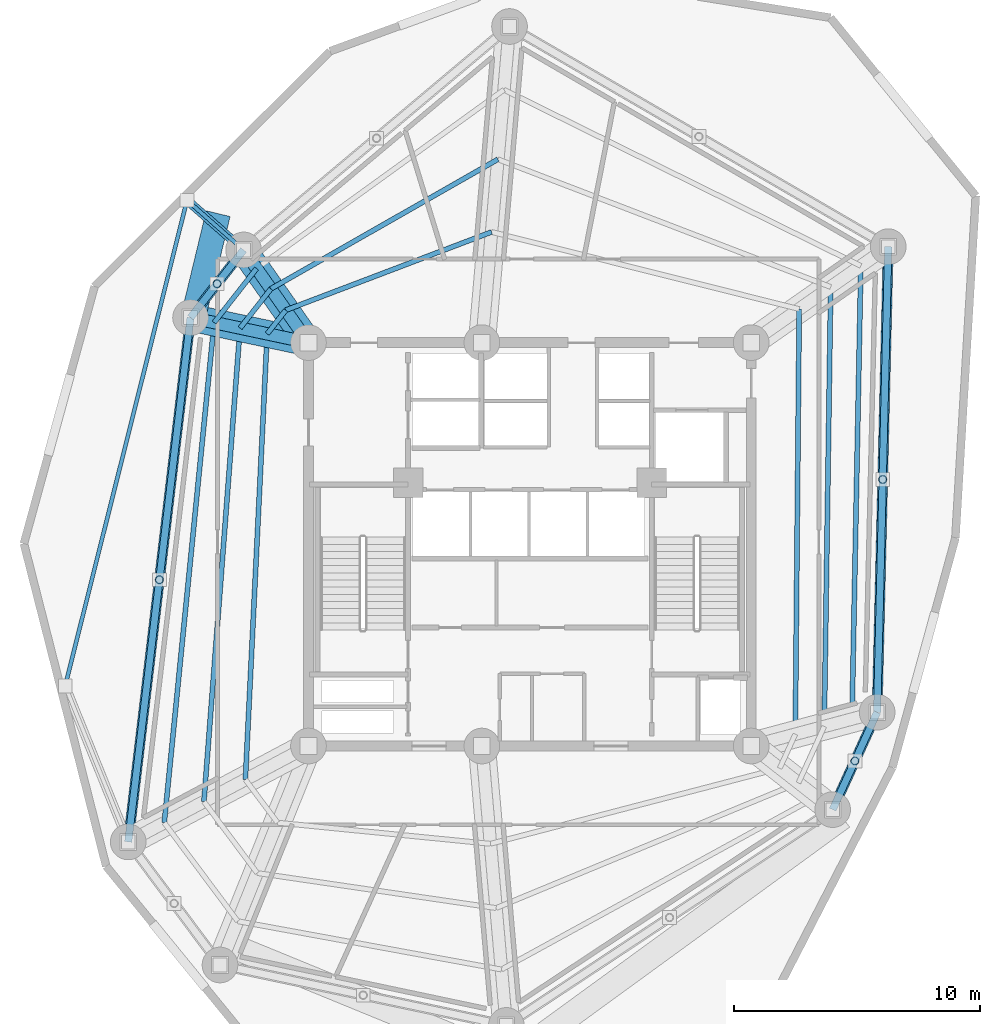
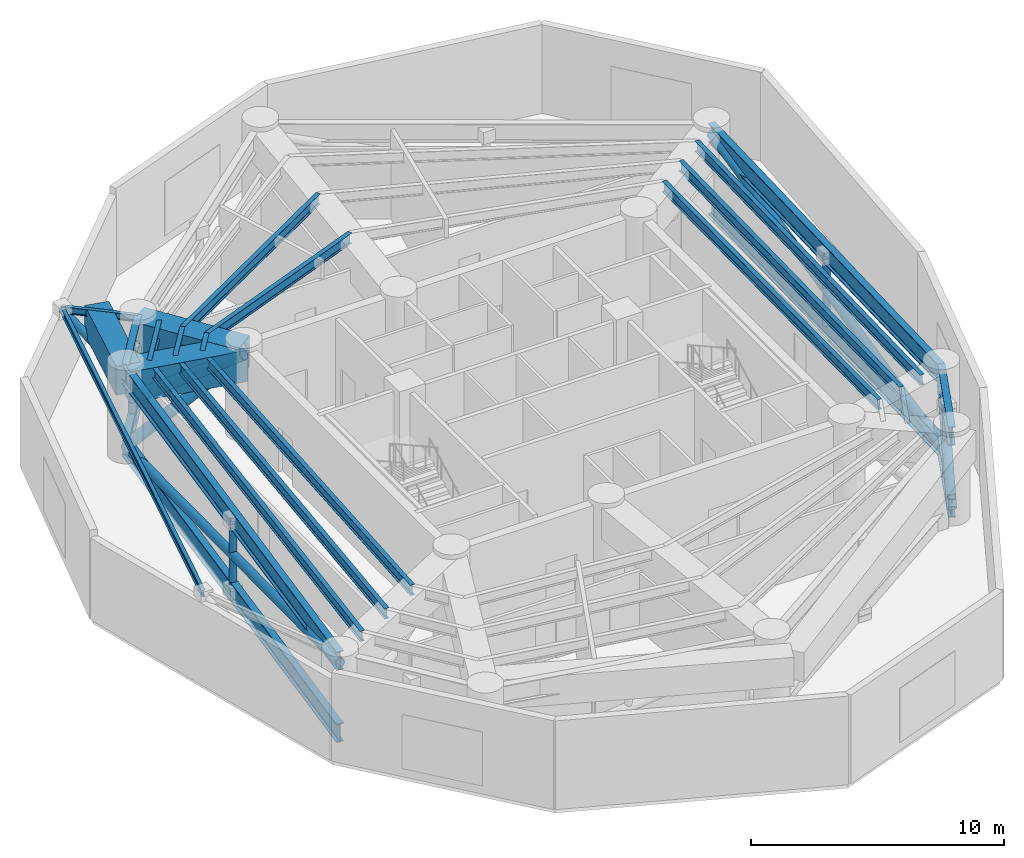
# One storey, part 3 of 11: 20 beams, 15 members.
"""IFC4 building model written with IfcOpenShell, lengths in metres."""

from ifc_helpers import new_model, si_unit, direction, frame, origin, origin_with_axes, origin_2d, place, context, subcontext, project, spatial, rectangle, hollow_circle, i_section, extrude, source, transform, mapped, material, material_profile, profile_set, type_object, element, save


model = new_model("IFC4")

# Units and contexts
model_context = context("Model", 3, precision=1e-05, world=origin(), true_north=direction((0.0, 1.0)))
body_context = subcontext(model_context, "Body", "Model", "MODEL_VIEW")
ifc_project = project(units=[si_unit("LENGTHUNIT", "METRE"), si_unit("AREAUNIT", "SQUARE_METRE"), si_unit("VOLUMEUNIT", "CUBIC_METRE"), si_unit("PLANEANGLEUNIT", "RADIAN"), si_unit("MASSUNIT", "GRAM", prefix="KILO")], contexts=[model_context])

# Site, building, storey
site_placement = place(None, origin())
site = spatial("IfcSite", under=ifc_project, at=site_placement, CompositionType="ELEMENT")
building_placement = place(site_placement, origin())
building = spatial("IfcBuilding", under=site, at=building_placement, Name="Karkom Vertical University and Central Library", CompositionType="ELEMENT")
storey_placement = place(building_placement, frame((0.0, 0.0, 148.050048828125)))
storey = spatial("IfcBuildingStorey", under=building, at=storey_placement, Name="P42", CompositionType="ELEMENT", Elevation=148.050048828125)

# Members
ifc_material_1 = material(Name="Steel S355", Category="steel")
ifc_material_profile_1 = material_profile(ifc_material_1, hollow_circle(Radius=0.161865234375, WallThickness=0.01611328125, at=origin_2d()), Name="CHS 323.9x16")
ifc_profile_set_1 = profile_set([ifc_material_profile_1], Name="Steel S355")
member_type_1 = type_object("IfcMemberType", Name="STR-MEM-PT-1", PredefinedType="POST", material=ifc_profile_set_1)
shared_shape_1 = source(origin_with_axes(), body_context, "Body", "SweptSolid", [
    extrude(hollow_circle(Radius=0.161865234375, WallThickness=0.01611328125, at=origin_2d()), origin(), (0.0, 0.0, 1.0), 3.375),
])
for number, where, z_axis, x_axis, name in (
    (1, (42.844482421875, 29.135986328125, 0.349853515625), (0.0, 0.0, 1.0), (1.0, 0.0, 0.0), "Plant Level 42 Belt Truss Web Post 01"),
    (2, (15.784423828125, 37.093505859375, 0.349853515625), (0.0, 0.0, 1.0), (1.0, 0.0, 0.0), "Plant Level 42 Belt Truss Web Post 04"),
    (3, (13.439453125, 25.06103515625, 0.349853515625), (0.0, 0.0, 1.0), (1.0, 0.0, 0.0), "Plant Level 42 Belt Truss Web Post 05"),
    (4, (41.714599609375, 17.693115234375, 0.349853515625), (0.0, 0.0, 1.0), (1.0, 0.0, 0.0), "Plant Level 42 Belt Truss Web Post 09"),
):
    element("IfcMember", number, at=place(storey_placement, frame(where, z_axis=z_axis, x_axis=x_axis)), inside=storey, type_object=member_type_1, Name=name, PredefinedType="POST", context=body_context, shape_type="MappedRepresentation", body=[
        mapped(shared_shape_1, transform((0.0, 0.0, 0.0), scale=1.0)),
    ])

# Beams
ifc_material_profile_2 = material_profile(ifc_material_1, i_section(OverallWidth=0.199951171875, OverallDepth=0.5, WebThickness=0.01025390625, FlangeThickness=0.01611328125, FilletRadius=0.02099609375, at=origin_2d()), Name="IPE 500")
ifc_profile_set_2 = profile_set([ifc_material_profile_2], Name="Steel S355")
beam_type_1 = type_object("IfcBeamType", Name="STR-BM-SB-IPE500", PredefinedType="BEAM", material=ifc_profile_set_2)
shared_shape_2 = source(origin_with_axes(), body_context, "Body", "SweptSolid", [
    extrude(i_section(OverallWidth=0.199951171875, OverallDepth=0.5, WebThickness=0.01025390625, FlangeThickness=0.01611328125, FilletRadius=0.02099609375, at=origin_2d()), origin(), (0.0, 0.0, 1.0), 17.285400390625),
])
beam_1_placement = place(storey_placement, frame((39.29150390625, 18.7802734375, 4.02490234375), z_axis=(0.009138294648, 0.999958244914, 0.0), x_axis=(-0.999958244914, 0.009138294648, 0.0)))
element("IfcBeam", 5, at=beam_1_placement, inside=storey, type_object=beam_type_1, Name="Plant Level 42 Secondary Composite Floor Beam 1.01", PredefinedType="BEAM", context=body_context, shape_type="MappedRepresentation", body=[
    mapped(shared_shape_2, transform((0.0, 0.0, 0.0), scale=1.0)),
])
shared_shape_3 = source(origin_with_axes(), body_context, "Body", "SweptSolid", [
    extrude(i_section(OverallWidth=0.199951171875, OverallDepth=0.5, WebThickness=0.01025390625, FlangeThickness=0.01611328125, FilletRadius=0.02099609375, at=origin_2d()), origin(), (0.0, 0.0, 1.0), 8.950439453125),
])
beam_2_placement = place(storey_placement, frame((26.943359375, 39.197998046875, 4.02490234375), z_axis=(-0.93478901494, -0.355203459368, 0.0), x_axis=(0.355203459368, -0.93478901494, 0.0)))
element("IfcBeam", 6, at=beam_2_placement, inside=storey, type_object=beam_type_1, Name="Plant Level 42 Secondary Composite Floor Beam 1.03", PredefinedType="BEAM", context=body_context, shape_type="MappedRepresentation", body=[
    mapped(shared_shape_3, transform((0.0, 0.0, 0.0), scale=1.0)),
])
shared_shape_4 = source(origin_with_axes(), body_context, "Body", "SweptSolid", [
    extrude(i_section(OverallWidth=0.199951171875, OverallDepth=0.5, WebThickness=0.01025390625, FlangeThickness=0.01611328125, FilletRadius=0.02099609375, at=origin_2d()), origin(), (0.0, 0.0, 1.0), 1.222412109375),
])
beam_3_placement = place(storey_placement, frame((18.57666015625, 36.018798828125, 4.02490234375), z_axis=(-0.616895037184, -0.787045432677, 0.0), x_axis=(0.787045432677, -0.616895037184, 0.0)))
element("IfcBeam", 7, at=beam_3_placement, inside=storey, type_object=beam_type_1, Name="Plant Level 42 Secondary Composite Floor Beam 1.04", PredefinedType="BEAM", context=body_context, shape_type="MappedRepresentation", body=[
    mapped(shared_shape_4, transform((0.0, 0.0, 0.0), scale=1.0)),
])
shared_shape_5 = source(origin_with_axes(), body_context, "Body", "SweptSolid", [
    extrude(i_section(OverallWidth=0.199951171875, OverallDepth=0.5, WebThickness=0.01025390625, FlangeThickness=0.01611328125, FilletRadius=0.02099609375, at=origin_2d()), origin(), (0.0, 0.0, 1.0), 18.142333984375),
])
beam_4_placement = place(storey_placement, frame((17.822509765625, 35.056640625, 4.02490234375), z_axis=(-0.048902644774, -0.998803549921, 0.0), x_axis=(0.998803549921, -0.048902644774, 0.0)))
element("IfcBeam", 8, at=beam_4_placement, inside=storey, type_object=beam_type_1, Name="Plant Level 42 Secondary Composite Floor Beam 1.05", PredefinedType="BEAM", context=body_context, shape_type="MappedRepresentation", body=[
    mapped(shared_shape_5, transform((0.0, 0.0, 0.0), scale=1.0)),
])
shared_shape_6 = source(origin_with_axes(), body_context, "Body", "SweptSolid", [
    extrude(i_section(OverallWidth=0.199951171875, OverallDepth=0.5, WebThickness=0.01025390625, FlangeThickness=0.01611328125, FilletRadius=0.02099609375, at=origin_2d()), origin(), (0.0, 0.0, 1.0), 17.8681640625),
])
beam_5_placement = place(storey_placement, frame((40.468994140625, 19.095703125, 4.02490234375), z_axis=(0.014647239676, 0.999892723431, 0.0), x_axis=(-0.999892723431, 0.014647239676, 0.0)))
element("IfcBeam", 9, at=beam_5_placement, inside=storey, type_object=beam_type_1, Name="Plant Level 42 Secondary Composite Floor Beam 2.01", PredefinedType="BEAM", context=body_context, shape_type="MappedRepresentation", body=[
    mapped(shared_shape_6, transform((0.0, 0.0, 0.0), scale=1.0)),
])
shared_shape_7 = source(origin_with_axes(), body_context, "Body", "SweptSolid", [
    extrude(i_section(OverallWidth=0.199951171875, OverallDepth=0.5, WebThickness=0.01025390625, FlangeThickness=0.01611328125, FilletRadius=0.02099609375, at=origin_2d()), origin(), (0.0, 0.0, 1.0), 10.629150390625),
])
beam_6_placement = place(storey_placement, frame((27.201904296875, 42.153564453125, 4.02490234375), z_axis=(-0.868539813491, -0.495619402748, 0.0), x_axis=(0.495619402748, -0.868539813491, 0.0)))
element("IfcBeam", 10, at=beam_6_placement, inside=storey, type_object=beam_type_1, Name="Plant Level 42 Secondary Composite Floor Beam 2.03", PredefinedType="BEAM", context=body_context, shape_type="MappedRepresentation", body=[
    mapped(shared_shape_7, transform((0.0, 0.0, 0.0), scale=1.0)),
])
shared_shape_8 = source(origin_with_axes(), body_context, "Body", "SweptSolid", [
    extrude(i_section(OverallWidth=0.199951171875, OverallDepth=0.5, WebThickness=0.01025390625, FlangeThickness=0.01611328125, FilletRadius=0.02099609375, at=origin_2d()), origin(), (0.0, 0.0, 1.0), 2.02587890625),
])
beam_7_placement = place(storey_placement, frame((17.969970703125, 36.885498046875, 4.02490234375), z_axis=(-0.616889733535, -0.787049589708, 0.0), x_axis=(0.787049589708, -0.616889733535, 0.0)))
element("IfcBeam", 11, at=beam_7_placement, inside=storey, type_object=beam_type_1, Name="Plant Level 42 Secondary Composite Floor Beam 2.04", PredefinedType="BEAM", context=body_context, shape_type="MappedRepresentation", body=[
    mapped(shared_shape_8, transform((0.0, 0.0, 0.0), scale=1.0)),
])
shared_shape_9 = source(origin_with_axes(), body_context, "Body", "SweptSolid", [
    extrude(i_section(OverallWidth=0.199951171875, OverallDepth=0.5, WebThickness=0.01025390625, FlangeThickness=0.01611328125, FilletRadius=0.02099609375, at=origin_2d()), origin(), (0.0, 0.0, 1.0), 19.307373046875),
])
beam_8_placement = place(storey_placement, frame((16.72021484375, 35.291015625, 4.02490234375), z_axis=(-0.07616078645, -0.997095549387, 0.0), x_axis=(0.997095549387, -0.07616078645, 0.0)))
element("IfcBeam", 12, at=beam_8_placement, inside=storey, type_object=beam_type_1, Name="Plant Level 42 Secondary Composite Floor Beam 2.05", PredefinedType="BEAM", context=body_context, shape_type="MappedRepresentation", body=[
    mapped(shared_shape_9, transform((0.0, 0.0, 0.0), scale=1.0)),
])
shared_shape_10 = source(origin_with_axes(), body_context, "Body", "SweptSolid", [
    extrude(i_section(OverallWidth=0.199951171875, OverallDepth=0.5, WebThickness=0.01025390625, FlangeThickness=0.01611328125, FilletRadius=0.02099609375, at=origin_2d()), origin(), (0.0, 0.0, 1.0), 18.42578125),
])
beam_9_placement = place(storey_placement, frame((41.59521484375, 19.397705078125, 4.02490234375), z_axis=(0.019583298818, 0.999808228816, 0.0), x_axis=(-0.999808228816, 0.019583298818, 0.0)))
element("IfcBeam", 13, at=beam_9_placement, inside=storey, type_object=beam_type_1, Name="Plant Level 42 Secondary Composite Floor Beam 3.01", PredefinedType="BEAM", context=body_context, shape_type="MappedRepresentation", body=[
    mapped(shared_shape_10, transform((0.0, 0.0, 0.0), scale=1.0)),
])
shared_shape_11 = source(origin_with_axes(), body_context, "Body", "SweptSolid", [
    extrude(i_section(OverallWidth=0.199951171875, OverallDepth=0.5, WebThickness=0.01025390625, FlangeThickness=0.01611328125, FilletRadius=0.02099609375, at=origin_2d()), origin(), (0.0, 0.0, 1.0), 2.79443359375),
])
beam_10_placement = place(storey_placement, frame((17.3896484375, 37.71435546875, 4.02490234375), z_axis=(-0.616972344898, -0.786984831894, 0.0), x_axis=(0.786984831894, -0.616972344898, 0.0)))
element("IfcBeam", 14, at=beam_10_placement, inside=storey, type_object=beam_type_1, Name="Plant Level 42 Secondary Composite Floor Beam 3.04", PredefinedType="BEAM", context=body_context, shape_type="MappedRepresentation", body=[
    mapped(shared_shape_11, transform((0.0, 0.0, 0.0), scale=1.0)),
])
shared_shape_12 = source(origin_with_axes(), body_context, "Body", "SweptSolid", [
    extrude(i_section(OverallWidth=0.199951171875, OverallDepth=0.5, WebThickness=0.01025390625, FlangeThickness=0.01611328125, FilletRadius=0.02099609375, at=origin_2d()), origin(), (0.0, 0.0, 1.0), 20.43359375),
])
beam_11_placement = place(storey_placement, frame((15.66552734375, 35.51513671875, 4.02490234375), z_axis=(-0.099239913611, -0.995063535432, 0.0), x_axis=(0.995063535432, -0.099239913611, 0.0)))
element("IfcBeam", 15, at=beam_11_placement, inside=storey, type_object=beam_type_1, Name="Plant Level 42 Secondary Composite Floor Beam 3.05", PredefinedType="BEAM", context=body_context, shape_type="MappedRepresentation", body=[
    mapped(shared_shape_12, transform((0.0, 0.0, 0.0), scale=1.0)),
])
ifc_material_2 = material(Name="Concrete C50/60", Category="concrete")
ifc_material_profile_3 = material_profile(ifc_material_2, rectangle(XDim=1.10009765625, YDim=1.5, at=origin_2d()), Name="TG-1100x1500")
ifc_profile_set_3 = profile_set([ifc_material_profile_3], Name="Concrete C50/60")
beam_type_2 = type_object("IfcBeamType", Name="STR-BM-TG-1", PredefinedType="USERDEFINED", material=ifc_profile_set_3)
shared_shape_13 = source(origin_with_axes(), body_context, "Body", "SweptSolid", [
    extrude(rectangle(XDim=1.10009765625, YDim=1.5, at=origin_2d()), origin(), (0.0, 0.0, 1.0), 4.599609375),
])
beam_12_placement = place(storey_placement, frame((19.5, 34.699951171875, 3.52490234375), z_axis=(-0.573505090764, 0.819201996377, 0.0), x_axis=(-0.819201996377, -0.573505090764, 0.0)))
element("IfcBeam", 16, at=beam_12_placement, inside=storey, type_object=beam_type_2, Name="Plant Level 42 Radial Frame Girder 04", ObjectType="GIRDER", PredefinedType="USERDEFINED", context=body_context, shape_type="MappedRepresentation", body=[
    mapped(shared_shape_13, transform((0.0, 0.0, 0.0), scale=1.0)),
])
shared_shape_14 = source(origin_with_axes(), body_context, "Body", "SweptSolid", [
    extrude(rectangle(XDim=1.10009765625, YDim=1.5, at=origin_2d()), origin(), (0.0, 0.0, 1.0), 4.900146484375),
])
beam_13_placement = place(storey_placement, frame((19.5, 34.699951171875, 3.52490234375), z_axis=(-0.978136559131, 0.207963630695, 0.0), x_axis=(-0.207963630695, -0.978136559131, 0.0)))
element("IfcBeam", 17, at=beam_13_placement, inside=storey, type_object=beam_type_2, Name="Plant Level 42 Radial Frame Girder 05", ObjectType="GIRDER", PredefinedType="USERDEFINED", context=body_context, shape_type="MappedRepresentation", body=[
    mapped(shared_shape_14, transform((0.0, 0.0, 0.0), scale=1.0)),
])
ifc_material_3 = material(Name="Steel S460", Category="steel")
ifc_material_profile_4 = material_profile(ifc_material_3, i_section(OverallWidth=0.300048828125, OverallDepth=0.89990234375, WebThickness=0.0185546875, FlangeThickness=0.034912109375, FilletRadius=0.030029296875, at=origin_2d()), Name="HE 900 B")
ifc_profile_set_4 = profile_set([ifc_material_profile_4], Name="Steel S460")
beam_type_3 = type_object("IfcBeamType", Name="STR-BM-SB-HE900", PredefinedType="USERDEFINED", material=ifc_profile_set_4)
shared_shape_15 = source(origin_with_axes(), body_context, "Body", "SweptSolid", [
    extrude(i_section(OverallWidth=0.300048828125, OverallDepth=0.89990234375, WebThickness=0.0185546875, FlangeThickness=0.034912109375, FilletRadius=0.030029296875, at=origin_2d()), origin(), (0.0, 0.0, 1.0), 18.933349609375),
])
beam_14_placement = place(storey_placement, frame((42.618896484375, 19.672119140625, 3.824951171875), z_axis=(0.02382947333, 0.999716037783, 0.0), x_axis=(-0.999716037783, 0.02382947333, 0.0)))
element("IfcBeam", 18, at=beam_14_placement, inside=storey, type_object=beam_type_3, Name="Plant Level 42 Perimeter Spandrel Beam 01", ObjectType="GIRDER", PredefinedType="USERDEFINED", context=body_context, shape_type="MappedRepresentation", body=[
    mapped(shared_shape_15, transform((0.0, 0.0, 0.0), scale=1.0)),
])
shared_shape_16 = source(origin_with_axes(), body_context, "Body", "SweptSolid", [
    extrude(i_section(OverallWidth=0.300048828125, OverallDepth=0.89990234375, WebThickness=0.0185546875, FlangeThickness=0.034912109375, FilletRadius=0.030029296875, at=origin_2d()), origin(), (0.0, 0.0, 1.0), 3.492919921875),
])
beam_15_placement = place(storey_placement, frame((16.862060546875, 38.468017578125, 3.824951171875), z_axis=(-0.616950700538, -0.787001799938, 0.0), x_axis=(0.787001799938, -0.616950700538, 0.0)))
element("IfcBeam", 19, at=beam_15_placement, inside=storey, type_object=beam_type_3, Name="Plant Level 42 Perimeter Spandrel Beam 04", ObjectType="GIRDER", PredefinedType="USERDEFINED", context=body_context, shape_type="MappedRepresentation", body=[
    mapped(shared_shape_16, transform((0.0, 0.0, 0.0), scale=1.0)),
])
shared_shape_17 = source(origin_with_axes(), body_context, "Body", "SweptSolid", [
    extrude(i_section(OverallWidth=0.300048828125, OverallDepth=0.89990234375, WebThickness=0.0185546875, FlangeThickness=0.034912109375, FilletRadius=0.030029296875, at=origin_2d()), origin(), (0.0, 0.0, 1.0), 21.466064453125),
])
beam_16_placement = place(storey_placement, frame((14.70703125, 35.718994140625, 3.824951171875), z_axis=(-0.118088996795, -0.993003015522, 0.0), x_axis=(0.993003015522, -0.118088996795, 0.0)))
element("IfcBeam", 20, at=beam_16_placement, inside=storey, type_object=beam_type_3, Name="Plant Level 42 Perimeter Spandrel Beam 05", ObjectType="GIRDER", PredefinedType="USERDEFINED", context=body_context, shape_type="MappedRepresentation", body=[
    mapped(shared_shape_17, transform((0.0, 0.0, 0.0), scale=1.0)),
])
shared_shape_18 = source(origin_with_axes(), body_context, "Body", "SweptSolid", [
    extrude(i_section(OverallWidth=0.300048828125, OverallDepth=0.89990234375, WebThickness=0.0185546875, FlangeThickness=0.034912109375, FilletRadius=0.030029296875, at=origin_2d()), origin(), (0.0, 0.0, 1.0), 4.351806640625),
])
beam_17_placement = place(storey_placement, frame((40.81005859375, 15.714111328125, 3.824951171875), z_axis=(0.415657668422, 0.909521139217, 0.0), x_axis=(-0.909521139217, 0.415657668422, 0.0)))
element("IfcBeam", 21, at=beam_17_placement, inside=storey, type_object=beam_type_3, Name="Plant Level 42 Perimeter Spandrel Beam 09", ObjectType="GIRDER", PredefinedType="USERDEFINED", context=body_context, shape_type="MappedRepresentation", body=[
    mapped(shared_shape_18, transform((0.0, 0.0, 0.0), scale=1.0)),
])
ifc_material_profile_5 = material_profile(ifc_material_2, rectangle(XDim=1.0, YDim=1.39990234375, at=origin_2d()), Name="TG-1000x1400")
ifc_profile_set_5 = profile_set([ifc_material_profile_5], Name="Concrete C50/60")
beam_type_4 = type_object("IfcBeamType", Name="STR-BM-TG-2", PredefinedType="USERDEFINED", material=ifc_profile_set_5)
shared_shape_19 = source(origin_with_axes(), body_context, "Body", "SweptSolid", [
    extrude(rectangle(XDim=1.0, YDim=1.39990234375, at=origin_2d()), origin(), (0.0, 0.0, 1.0), 4.366943359375),
])
beam_18_placement = place(storey_placement, frame((15.8291015625, 39.943115234375, 3.574951171875), z_axis=(-0.234529408772, -0.972109024966, 0.0), x_axis=(0.972109024966, -0.234529408772, 0.0)))
element("IfcBeam", 22, at=beam_18_placement, inside=storey, type_object=beam_type_4, Name="Plant Level 42 Upper Column Transfer Ring 04", ObjectType="GIRDER", PredefinedType="USERDEFINED", context=body_context, shape_type="MappedRepresentation", body=[
    mapped(shared_shape_19, transform((0.0, 0.0, 0.0), scale=1.0)),
])
ifc_material_profile_6 = material_profile(ifc_material_1, i_section(OverallWidth=0.159912109375, OverallDepth=0.330078125, WebThickness=0.007568359375, FlangeThickness=0.011474609375, FilletRadius=0.01806640625, at=origin_2d()), Name="IPE 330")
ifc_profile_set_6 = profile_set([ifc_material_profile_6], Name="Steel S355")
beam_type_5 = type_object("IfcBeamType", Name="STR-BM-SB-IPE330", PredefinedType="BEAM", material=ifc_profile_set_6)
shared_shape_20 = source(origin_with_axes(), body_context, "Body", "SweptSolid", [
    extrude(i_section(OverallWidth=0.159912109375, OverallDepth=0.330078125, WebThickness=0.007568359375, FlangeThickness=0.011474609375, FilletRadius=0.01806640625, at=origin_2d()), origin(), (0.0, 0.0, 1.0), 3.062255859375),
])
beam_19_placement = place(storey_placement, frame((16.862060546875, 38.468017578125, 4.10986328125), z_axis=(-0.751013937428, 0.660286351357, 0.0), x_axis=(-0.660286351357, -0.751013937428, 0.0)))
element("IfcBeam", 23, at=beam_19_placement, inside=storey, type_object=beam_type_5, Name="Plant Level 42 Sky Garden Outrigger Support Beam 1", PredefinedType="BEAM", context=body_context, shape_type="MappedRepresentation", body=[
    mapped(shared_shape_20, transform((0.0, 0.0, 0.0), scale=1.0)),
])

# Member
ifc_material_profile_7 = material_profile(ifc_material_1, hollow_circle(Radius=0.177734375, WallThickness=0.01611328125, at=origin_2d()), Name="CHS 355.6x16")
ifc_profile_set_7 = profile_set([ifc_material_profile_7], Name="Steel S355")
member_type_2 = type_object("IfcMemberType", Name="STR-MEM-BR-3", PredefinedType="BRACE", material=ifc_profile_set_7)
shared_shape_21 = source(origin_with_axes(), body_context, "Body", "SweptSolid", [
    extrude(hollow_circle(Radius=0.177734375, WallThickness=0.01611328125, at=origin_2d()), origin(), (0.0, 0.0, 1.0), 4.635498046875),
])
member_1_placement = place(storey_placement, frame((16.862060546875, 38.468017578125, 0.6298828125), z_axis=(-0.496130120051, 0.436194230813, 0.750725979958), x_axis=(-0.660286351357, -0.751013937428, 0.0)))
element("IfcMember", 24, at=member_1_placement, inside=storey, type_object=member_type_2, Name="Plant Level 42 Sky Garden Knee Strut Brace 1", PredefinedType="BRACE", context=body_context, shape_type="MappedRepresentation", body=[
    mapped(shared_shape_21, transform((0.0, 0.0, 0.0), scale=1.0)),
])

# Beam
shared_shape_22 = source(origin_with_axes(), body_context, "Body", "SweptSolid", [
    extrude(i_section(OverallWidth=0.159912109375, OverallDepth=0.330078125, WebThickness=0.007568359375, FlangeThickness=0.011474609375, FilletRadius=0.01806640625, at=origin_2d()), origin(), (0.0, 0.0, 1.0), 20.35791015625),
])
beam_20_placement = place(storey_placement, frame((14.562255859375, 40.489990234375, 4.10986328125), z_axis=(-0.243277671532, -0.969956686937, 0.0), x_axis=(0.969956686937, -0.243277671532, 0.0)))
element("IfcBeam", 25, at=beam_20_placement, inside=storey, type_object=beam_type_5, Name="Plant Level 42 Sky Garden Perimeter Edge Beam", PredefinedType="BEAM", context=body_context, shape_type="MappedRepresentation", body=[
    mapped(shared_shape_22, transform((0.0, 0.0, 0.0), scale=1.0)),
])

# Members
ifc_material_profile_8 = material_profile(ifc_material_1, hollow_circle(Radius=0.203125, WallThickness=0.02001953125, at=origin_2d()), Name="CHS 406.4x20")
ifc_profile_set_8 = profile_set([ifc_material_profile_8], Name="Steel S355")
member_type_3 = type_object("IfcMemberType", Name="STR-MEM-BR-2", PredefinedType="BRACE", material=ifc_profile_set_8)
shared_shape_23 = source(origin_with_axes(), body_context, "Body", "SweptSolid", [
    extrude(hollow_circle(Radius=0.203125, WallThickness=0.02001953125, at=origin_2d()), origin(), (0.0, 0.0, 1.0), 19.231689453125),
])
member_2_placement = place(storey_placement, frame((42.618896484375, 19.672119140625, 0.349853515625), z_axis=(0.023459666725, 0.984201570093, 0.175490493944), x_axis=(-0.999716037783, 0.02382947333, 0.0)))
element("IfcMember", 26, at=member_2_placement, inside=storey, type_object=member_type_3, Name="Plant Level 42 Belt Truss Diagonal Brace 01", PredefinedType="BRACE", context=body_context, shape_type="MappedRepresentation", body=[
    mapped(shared_shape_23, transform((0.0, 0.0, 0.0), scale=1.0)),
])
ifc_material_profile_9 = material_profile(ifc_material_3, i_section(OverallWidth=0.300048828125, OverallDepth=0.89990234375, WebThickness=0.0185546875, FlangeThickness=0.034912109375, FilletRadius=0.030029296875, at=origin_2d()), Name="HE 900 B")
ifc_profile_set_9 = profile_set([ifc_material_profile_9], Name="Steel S460")
member_type_4 = type_object("IfcMemberType", Name="STR-MEM-CH-1", PredefinedType="CHORD", material=ifc_profile_set_9)
shared_shape_24 = source(origin_with_axes(), body_context, "Body", "SweptSolid", [
    extrude(i_section(OverallWidth=0.300048828125, OverallDepth=0.89990234375, WebThickness=0.0185546875, FlangeThickness=0.034912109375, FilletRadius=0.030029296875, at=origin_2d()), origin(), (0.0, 0.0, 1.0), 18.933349609375),
])
member_3_placement = place(storey_placement, frame((42.618896484375, 19.672119140625, 0.349853515625), z_axis=(0.02382947333, 0.999716037783, 0.0), x_axis=(-0.999716037783, 0.02382947333, 0.0)))
element("IfcMember", 27, at=member_3_placement, inside=storey, type_object=member_type_4, Name="Plant Level 42 Belt Truss Bottom Chord 01", PredefinedType="CHORD", context=body_context, shape_type="MappedRepresentation", body=[
    mapped(shared_shape_24, transform((0.0, 0.0, 0.0), scale=1.0)),
])
shared_shape_25 = source(origin_with_axes(), body_context, "Body", "SweptSolid", [
    extrude(hollow_circle(Radius=0.203125, WallThickness=0.02001953125, at=origin_2d()), origin(), (0.0, 0.0, 1.0), 4.857177734375),
])
member_4_placement = place(storey_placement, frame((16.862060546875, 38.468017578125, 0.349853515625), z_axis=(-0.443681849751, -0.565974581194, 0.69485191922), x_axis=(0.787001799938, -0.616950700538, 0.0)))
element("IfcMember", 28, at=member_4_placement, inside=storey, type_object=member_type_3, Name="Plant Level 42 Belt Truss Diagonal Brace 04", PredefinedType="BRACE", context=body_context, shape_type="MappedRepresentation", body=[
    mapped(shared_shape_25, transform((0.0, 0.0, 0.0), scale=1.0)),
])
shared_shape_26 = source(origin_with_axes(), body_context, "Body", "SweptSolid", [
    extrude(i_section(OverallWidth=0.300048828125, OverallDepth=0.89990234375, WebThickness=0.0185546875, FlangeThickness=0.034912109375, FilletRadius=0.030029296875, at=origin_2d()), origin(), (0.0, 0.0, 1.0), 3.492919921875),
])
member_5_placement = place(storey_placement, frame((16.862060546875, 38.468017578125, 0.349853515625), z_axis=(-0.616950700538, -0.787001799938, 0.0), x_axis=(0.787001799938, -0.616950700538, 0.0)))
element("IfcMember", 29, at=member_5_placement, inside=storey, type_object=member_type_4, Name="Plant Level 42 Belt Truss Bottom Chord 04", PredefinedType="CHORD", context=body_context, shape_type="MappedRepresentation", body=[
    mapped(shared_shape_26, transform((0.0, 0.0, 0.0), scale=1.0)),
])
shared_shape_27 = source(origin_with_axes(), body_context, "Body", "SweptSolid", [
    extrude(hollow_circle(Radius=0.203125, WallThickness=0.02001953125, at=origin_2d()), origin(), (0.0, 0.0, 1.0), 21.729736328125),
])
member_6_placement = place(storey_placement, frame((14.70703125, 35.718994140625, 0.349853515625), z_axis=(-0.116655957213, -0.980952674977, 0.155316570598), x_axis=(0.993003015522, -0.118088996795, 0.0)))
element("IfcMember", 30, at=member_6_placement, inside=storey, type_object=member_type_3, Name="Plant Level 42 Belt Truss Diagonal Brace 05", PredefinedType="BRACE", context=body_context, shape_type="MappedRepresentation", body=[
    mapped(shared_shape_27, transform((0.0, 0.0, 0.0), scale=1.0)),
])
shared_shape_28 = source(origin_with_axes(), body_context, "Body", "SweptSolid", [
    extrude(i_section(OverallWidth=0.300048828125, OverallDepth=0.89990234375, WebThickness=0.0185546875, FlangeThickness=0.034912109375, FilletRadius=0.030029296875, at=origin_2d()), origin(), (0.0, 0.0, 1.0), 21.466064453125),
])
member_7_placement = place(storey_placement, frame((14.70703125, 35.718994140625, 0.349853515625), z_axis=(-0.118088996795, -0.993003015522, 0.0), x_axis=(0.993003015522, -0.118088996795, 0.0)))
element("IfcMember", 31, at=member_7_placement, inside=storey, type_object=member_type_4, Name="Plant Level 42 Belt Truss Bottom Chord 05", PredefinedType="CHORD", context=body_context, shape_type="MappedRepresentation", body=[
    mapped(shared_shape_28, transform((0.0, 0.0, 0.0), scale=1.0)),
])
shared_shape_29 = source(origin_with_axes(), body_context, "Body", "SweptSolid", [
    extrude(hollow_circle(Radius=0.203125, WallThickness=0.02001953125, at=origin_2d()), origin(), (0.0, 0.0, 1.0), 5.507080078125),
])
member_8_placement = place(storey_placement, frame((40.81005859375, 15.714111328125, 0.349853515625), z_axis=(0.328454554498, 0.718707684914, 0.612843266484), x_axis=(-0.909521139217, 0.415657668422, 0.0)))
element("IfcMember", 32, at=member_8_placement, inside=storey, type_object=member_type_3, Name="Plant Level 42 Belt Truss Diagonal Brace 09", PredefinedType="BRACE", context=body_context, shape_type="MappedRepresentation", body=[
    mapped(shared_shape_29, transform((0.0, 0.0, 0.0), scale=1.0)),
])
shared_shape_30 = source(origin_with_axes(), body_context, "Body", "SweptSolid", [
    extrude(i_section(OverallWidth=0.300048828125, OverallDepth=0.89990234375, WebThickness=0.0185546875, FlangeThickness=0.034912109375, FilletRadius=0.030029296875, at=origin_2d()), origin(), (0.0, 0.0, 1.0), 4.351806640625),
])
member_9_placement = place(storey_placement, frame((40.81005859375, 15.714111328125, 0.349853515625), z_axis=(0.415657668422, 0.909521139217, 0.0), x_axis=(-0.909521139217, 0.415657668422, 0.0)))
element("IfcMember", 33, at=member_9_placement, inside=storey, type_object=member_type_4, Name="Plant Level 42 Belt Truss Bottom Chord 09", PredefinedType="CHORD", context=body_context, shape_type="MappedRepresentation", body=[
    mapped(shared_shape_30, transform((0.0, 0.0, 0.0), scale=1.0)),
])
ifc_material_profile_10 = material_profile(ifc_material_3, hollow_circle(Radius=0.25390625, WallThickness=0.02490234375, at=origin_2d()), Name="CHS 508x25")
ifc_profile_set_10 = profile_set([ifc_material_profile_10], Name="Steel S460")
member_type_5 = type_object("IfcMemberType", Name="STR-MEM-BR-1", PredefinedType="BRACE", material=ifc_profile_set_10)
shared_shape_31 = source(origin_with_axes(), body_context, "Body", "SweptSolid", [
    extrude(hollow_circle(Radius=0.25390625, WallThickness=0.02490234375, at=origin_2d()), origin(), (0.0, 0.0, 1.0), 5.705078125),
])
member_10_placement = place(storey_placement, frame((19.5, 34.699951171875, 3.724853515625), z_axis=(-0.462386179273, 0.660478324007, -0.591580429641), x_axis=(-0.819201996377, -0.573505090764, 0.0)))
element("IfcMember", 34, at=member_10_placement, inside=storey, type_object=member_type_5, Name="Plant Level 42 Outrigger Truss Diagonal 04", PredefinedType="BRACE", context=body_context, shape_type="MappedRepresentation", body=[
    mapped(shared_shape_31, transform((0.0, 0.0, 0.0), scale=1.0)),
])
shared_shape_32 = source(origin_with_axes(), body_context, "Body", "SweptSolid", [
    extrude(hollow_circle(Radius=0.25390625, WallThickness=0.02490234375, at=origin_2d()), origin(), (0.0, 0.0, 1.0), 5.949951171875),
])
member_11_placement = place(storey_placement, frame((19.5, 34.699951171875, 3.724853515625), z_axis=(-0.805550943987, 0.171269847198, -0.567233916548), x_axis=(-0.207963630695, -0.978136559131, 0.0)))
element("IfcMember", 35, at=member_11_placement, inside=storey, type_object=member_type_5, Name="Plant Level 42 Outrigger Truss Diagonal 05", PredefinedType="BRACE", context=body_context, shape_type="MappedRepresentation", body=[
    mapped(shared_shape_32, transform((0.0, 0.0, 0.0), scale=1.0)),
])

save(model, "model.ifc")
